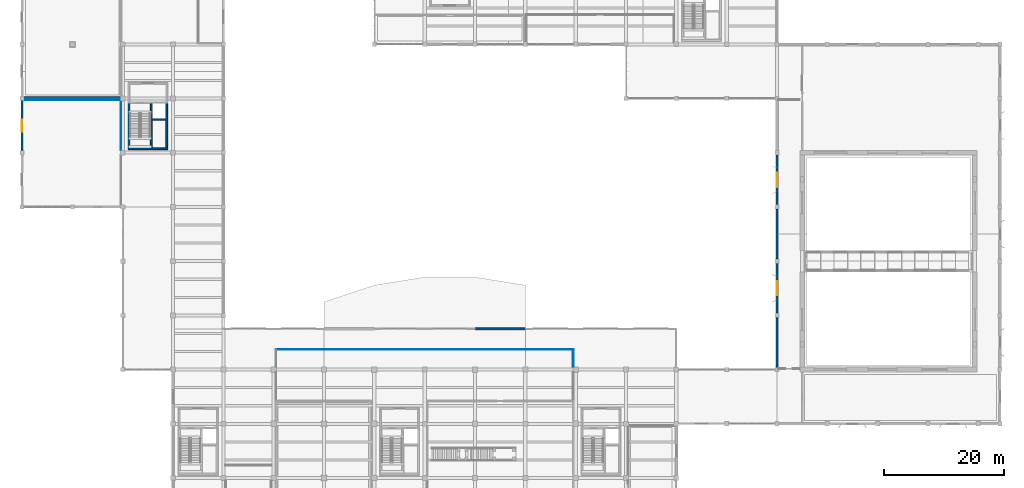
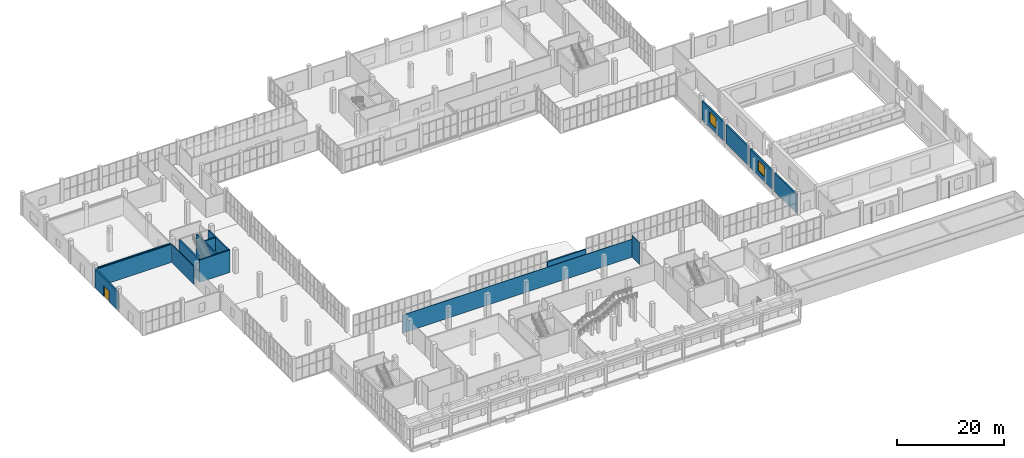
# One storey, part 79 of 91: 16 walls, 2 windows, 1 door, 3 openings.
"""IFC4 building model written with IfcOpenShell, lengths in metres."""

import ifcopenshell
import ifcopenshell.guid

model = None  # the IFC model being written
_history = None  # IfcOwnerHistory: only IFC2X3 demands one
_inside = {}  # id of a spatial element -> (the spatial element, [elements in it])
_under = {}  # id of a project, library or spatial element -> (it, [spatial elements below it])
_declared = {}  # id of a project -> (the project, [libraries it declares])
_typed = {}  # id of a type object -> (the type object, [elements of that type])
_made_of = {}  # id of a material, layer set ... -> (it, [elements and type objects made of it])


def new_model(schema):
    """Start an empty IFC model of exactly this schema.

    Asked for "IFC4X3", IfcOpenShell would pick the latest addendum, in which some entities
    have other attributes; the version numbers below select the first issue.
    IFC2X3 requires an IfcOwnerHistory on every rooted entity: one is made here for all.
    """
    global model, _history
    if schema == "IFC4X3":
        model = ifcopenshell.file(schema_version=(4, 3, 0, 0))
    else:
        model = ifcopenshell.file(schema=schema)
    _inside.clear()
    _under.clear()
    _declared.clear()
    _typed.clear()
    _made_of.clear()
    _history = None
    if model.schema == "IFC2X3":
        org = make("IfcOrganization", Name="unknown")
        user = make(
            "IfcPersonAndOrganization",
            ThePerson=make("IfcPerson", FamilyName="unknown"),
            TheOrganization=org,
        )
        app = make(
            "IfcApplication",
            ApplicationDeveloper=org,
            Version="unknown",
            ApplicationFullName="unknown",
            ApplicationIdentifier="unknown",
        )
        _history = make(
            "IfcOwnerHistory",
            OwningUser=user,
            OwningApplication=app,
            ChangeAction="ADDED",
            CreationDate=0,
        )
    return model


def make(cls, **values):
    """One entity of the class cls with the attributes given. An attribute that is None is left unset."""
    return model.create_entity(
        cls, **{name: value for name, value in values.items() if value is not None}
    )


def rooted(cls, **values):
    """An entity with a GlobalId (a new one), such as an element, a storey or a relation."""
    return make(cls, GlobalId=ifcopenshell.guid.new(), OwnerHistory=_history, **values)


def si_unit(unit_type, name, prefix=None):
    """IfcSIUnit, for example si_unit("LENGTHUNIT", "METRE", prefix="MILLI")."""
    return make("IfcSIUnit", UnitType=unit_type, Prefix=prefix, Name=name)


def assignment(units):
    """IfcUnitAssignment: the units of a project."""
    return None if units is None else make("IfcUnitAssignment", Units=units)


def point(xyz):
    """IfcCartesianPoint."""
    return None if xyz is None else make("IfcCartesianPoint", Coordinates=xyz)


def direction(xyz):
    """IfcDirection."""
    return None if xyz is None else make("IfcDirection", DirectionRatios=xyz)


def frame(location, z_axis=None, x_axis=None):
    """IfcAxis2Placement3D, a coordinate frame: its origin and axes. An axis left out is left unset."""
    return make(
        "IfcAxis2Placement3D",
        Location=point(location),
        Axis=direction(z_axis),
        RefDirection=direction(x_axis),
    )


def frame_2d(location, x_axis=None):
    """IfcAxis2Placement2D, a coordinate frame in the plane: its origin and x axis."""
    return make(
        "IfcAxis2Placement2D", Location=point(location), RefDirection=direction(x_axis)
    )


def origin():
    """The frame at (0, 0, 0) with its axes left unset."""
    return frame((0.0, 0.0, 0.0))


def place(relative_to, where):
    """IfcLocalPlacement: puts the frame where relative to a parent placement (None: the world)."""
    return make(
        "IfcLocalPlacement", PlacementRelTo=relative_to, RelativePlacement=where
    )


def context(
    kind, dimensions, precision=None, world=None, true_north=None, identifier=None
):
    """IfcGeometricRepresentationContext, for example the 3D "Model" context."""
    return make(
        "IfcGeometricRepresentationContext",
        ContextIdentifier=identifier,
        ContextType=kind,
        CoordinateSpaceDimension=dimensions,
        Precision=precision,
        WorldCoordinateSystem=world,
        TrueNorth=true_north,
    )


def subcontext(parent, identifier, kind, view, scale=None):
    """IfcGeometricRepresentationSubContext, for example "Body" below "Model"."""
    return make(
        "IfcGeometricRepresentationSubContext",
        ContextIdentifier=identifier,
        ContextType=kind,
        ParentContext=parent,
        TargetScale=scale,
        TargetView=view,
    )


def project(units=None, contexts=None):
    """IfcProject with its units and contexts."""
    return rooted(
        "IfcProject",
        Name="project",
        RepresentationContexts=contexts,
        UnitsInContext=assignment(units),
    )


def spatial(cls, under=None, at=None, **own):
    """A site, building, storey or space (cls), placed at a placement, below another one or the project."""
    s = rooted(cls, ObjectPlacement=at, **own)
    if under is not None:
        _under.setdefault(under.id(), (under, []))[1].append(s)
    return s


def profile(cls, at=None, kind="AREA", **sizes):
    """A parametric profile (cls). Its sizes go by their IFC names, for example OverallWidth=200.0."""
    return make(cls, ProfileType=kind, Position=at, **sizes)


def rectangle(**sizes):
    """IfcRectangleProfileDef."""
    return profile("IfcRectangleProfileDef", **sizes)


def extrude(swept, where, along, depth):
    """IfcExtrudedAreaSolid: the profile swept, set in the frame where, extruded along a direction by depth."""
    return make(
        "IfcExtrudedAreaSolid",
        SweptArea=swept,
        Position=where,
        ExtrudedDirection=direction(along),
        Depth=depth,
    )


def shape(context_of_items, identifier, shape_type, items):
    """IfcShapeRepresentation: the items that make up one representation, for example the "Body"."""
    return make(
        "IfcShapeRepresentation",
        ContextOfItems=context_of_items,
        RepresentationIdentifier=identifier,
        RepresentationType=shape_type,
        Items=items,
    )


def material(Name=None, Category=None):
    """IfcMaterial."""
    return make("IfcMaterial", Name=Name, Category=Category)


def layer(
    of_material, thickness, ventilated=None, Name=None, Category=None, Priority=None
):
    """IfcMaterialLayer: one layer of a wall or slab, of a material (None: an air gap)."""
    return make(
        "IfcMaterialLayer",
        Material=of_material,
        LayerThickness=thickness,
        IsVentilated=ventilated,
        Name=Name,
        Category=Category,
        Priority=Priority,
    )


def layer_set(layers, Name=None):
    """IfcMaterialLayerSet."""
    return make("IfcMaterialLayerSet", MaterialLayers=layers, LayerSetName=Name)


def made_of(thing, what):
    """Note that an element or type object is made of a material, layer set ...; save() writes the relation."""
    if what is not None:
        _made_of.setdefault(what.id(), (what, []))[1].append(thing)
    return thing


def type_object(cls, material=None, **own):
    """A type object (cls), such as IfcWallType, which elements share."""
    return made_of(rooted(cls, **own), material)


def element(
    cls,
    number,
    at=None,
    inside=None,
    cuts=None,
    type_object=None,
    material=None,
    context=None,
    identifier="Body",
    shape_type=None,
    held_by="IfcProductDefinitionShape",
    body=None,
    shapes=None,
    **own,
):
    """One element of the class cls, such as IfcWall. Its Tag is "e" and its number.

    at: its placement. inside: the storey or other place that contains it. cuts: it is an
    opening in that element (IfcRelVoidsElement). A single representation is given by context,
    identifier, shape_type and body (its items); several are given by shapes. held_by: the class
    of the entity that holds the representations. save() writes the other relations.
    """
    e = rooted(cls, Tag="e%d" % number, ObjectPlacement=at, **own)
    if body is not None:
        shapes = [shape(context, identifier, shape_type, body)]
    if shapes is not None:
        e.Representation = make(held_by, Representations=shapes)
    if inside is not None:
        _inside.setdefault(inside.id(), (inside, []))[1].append(e)
    if cuts is not None:
        rooted(
            "IfcRelVoidsElement", RelatingBuildingElement=cuts, RelatedOpeningElement=e
        )
    if type_object is not None:
        _typed.setdefault(type_object.id(), (type_object, []))[1].append(e)
    return made_of(e, material)


def fill(opening, filler):
    """IfcRelFillsElement: the door or window that sits in an opening."""
    return rooted(
        "IfcRelFillsElement",
        RelatingOpeningElement=opening,
        RelatedBuildingElement=filler,
    )


def aggregate(whole, parts):
    """IfcRelAggregates: a whole, such as a stair, and the parts it consists of."""
    return rooted("IfcRelAggregates", RelatingObject=whole, RelatedObjects=parts)


def save(model, path):
    """Write the relations noted so far, then the file.

    IfcRelAggregates (storeys below a building ...), IfcRelContainedInSpatialStructure (elements
    in a storey), IfcRelDefinesByType, IfcRelAssociatesMaterial and IfcRelDeclares: one each for
    every whole, place, type object, material and project.
    """
    for whole, parts in _under.values():
        aggregate(whole, parts)
    for where, things in _inside.values():
        rooted(
            "IfcRelContainedInSpatialStructure",
            RelatedElements=things,
            RelatingStructure=where,
        )
    for kind, things in _typed.values():
        rooted("IfcRelDefinesByType", RelatedObjects=things, RelatingType=kind)
    for what, things in _made_of.values():
        rooted("IfcRelAssociatesMaterial", RelatedObjects=things, RelatingMaterial=what)
    for by, libraries in _declared.values():
        rooted("IfcRelDeclares", RelatingContext=by, RelatedDefinitions=libraries)
    model.write(path)


model = new_model("IFC4")

# Units and contexts
model_context = context("Model", 3, precision=1e-05, world=origin(), true_north=direction((0.0, 1.0)))
body_context = subcontext(model_context, "Body", "Model", "MODEL_VIEW")
ifc_project = project(units=[si_unit("LENGTHUNIT", "METRE"), si_unit("AREAUNIT", "SQUARE_METRE"), si_unit("VOLUMEUNIT", "CUBIC_METRE"), si_unit("PLANEANGLEUNIT", "RADIAN"), si_unit("MASSUNIT", "GRAM", prefix="KILO")], contexts=[model_context])

# Site, building, storey
site_placement = place(None, origin())
site = spatial("IfcSite", under=ifc_project, at=site_placement, CompositionType="ELEMENT")
building_placement = place(site_placement, origin())
building = spatial("IfcBuilding", under=site, at=building_placement, Name="Khurvash Pelagic Aquarium", CompositionType="ELEMENT")
storey_placement = place(building_placement, origin())
storey = spatial("IfcBuildingStorey", under=building, at=storey_placement, Name="L00", CompositionType="ELEMENT", Elevation=0.0)

# Wall, opening, door
ifc_material_1 = material(Name="Precast concrete C40/50", Category="concrete")
ifc_layer_1 = layer(ifc_material_1, 0.300048828125)
ifc_layer_set_1 = layer_set([ifc_layer_1], Name="Precast concrete C40/50")
wall_type_1 = type_object("IfcWallType", Name="EW-300", PredefinedType="STANDARD", material=ifc_layer_set_1)
wall_1_placement = place(storey_placement, frame((0.0, 74.64501953125, 0.0), z_axis=(0.0, 0.0, 1.0), x_axis=(0.0, -1.0, 0.0)))
wall_1 = element("IfcWall", 1, at=wall_1_placement, inside=storey, type_object=wall_type_1, Name="L00 Exterior Architectural Facade Wall EW-300 0028", PredefinedType="STANDARD", context=body_context, shape_type="SweptSolid", body=[
    extrude(rectangle(XDim=8.340087890625, YDim=0.300048828125, at=frame_2d((4.169921875, 0.0))), origin(), (0.0, 0.0, 1.0), 4.239990234375),
])
opening_1_placement = place(wall_1_placement, frame((3.169921875, 0.0, 0.0)))
opening_1 = element("IfcOpeningElement", 2, at=opening_1_placement, cuts=wall_1, Name="Opening ED-02", PredefinedType="OPENING", context=body_context, shape_type="SweptSolid", body=[
    extrude(rectangle(XDim=2.0, YDim=2.39990234375, at=frame_2d((1.0, 1.199951171875))), frame((0.0, 0.16015625, 0.0), z_axis=(0.0, -1.0, 0.0), x_axis=(1.0, 0.0, 0.0)), (0.0, 0.0, 1.0), 0.320068359375),
])
ifc_material_2 = material(Name="Thermally broken glazed aluminium", Category="aluminium")
door_type = type_object("IfcDoorType", Name="ED-02", OperationType="DOUBLE_DOOR_SINGLE_SWING", PredefinedType="DOOR", material=ifc_material_2)
door_placement = place(opening_1_placement, frame((2.0, 0.0, 0.0), z_axis=(0.0, 0.0, 1.0), x_axis=(-1.0, 0.0, 0.0)))
door = element("IfcDoor", 3, at=door_placement, inside=storey, type_object=door_type, Name="DR-0058", OperationType="DOUBLE_DOOR_SINGLE_SWING", OverallHeight=2.39990234375, OverallWidth=2.0, PredefinedType="DOOR", context=body_context, shape_type="SweptSolid", body=[
    extrude(rectangle(XDim=2.0, YDim=2.39990234375, at=frame_2d((1.0, 1.199951171875))), frame((0.0, 0.02490234375, 0.0), z_axis=(0.0, -1.0, 0.0), x_axis=(1.0, 0.0, 0.0)), (0.0, 0.0, 1.0), 0.050048828125),
])
fill(opening_1, door)

# Walls
wall_2_placement = place(storey_placement, frame((84.0, 36.550048828125, 0.0), z_axis=(0.0, 0.0, 1.0), x_axis=(-1.0, 0.0, 0.0)))
element("IfcWall", 4, at=wall_2_placement, inside=storey, type_object=wall_type_1, Name="L00 Exterior Architectural Facade Wall EW-300 0036", PredefinedType="STANDARD", context=body_context, shape_type="SweptSolid", body=[
    extrude(rectangle(XDim=8.39990234375, YDim=0.300048828125, at=frame_2d((4.199951171875, 0.0))), origin(), (0.0, 0.0, 1.0), 2.616943359375),
])
ifc_layer_2 = layer(ifc_material_1, 0.320068359375)
ifc_layer_set_2 = layer_set([ifc_layer_2], Name="Precast concrete C40/50")
wall_type_2 = type_object("IfcWallType", Name="EW-320", PredefinedType="STANDARD", material=ifc_layer_set_2)
wall_3_placement = place(storey_placement, frame((126.0, 38.389892578125, 0.0), z_axis=(0.0, 0.0, 1.0), x_axis=(0.0, -1.0, 0.0)))
element("IfcWall", 5, at=wall_3_placement, inside=storey, type_object=wall_type_2, Name="L00 Ocean Tank Hall West Courtyard Wall EW-320 B2", PredefinedType="STANDARD", context=body_context, shape_type="SweptSolid", body=[
    extrude(rectangle(XDim=8.22998046875, YDim=0.320068359375, at=frame_2d((4.114990234375, 0.0))), origin(), (0.0, 0.0, 1.0), 4.239990234375),
])

# Wall, opening, window
wall_4_placement = place(storey_placement, frame((126.0, 47.43994140625, 0.0), z_axis=(0.0, 0.0, 1.0), x_axis=(0.0, -1.0, 0.0)))
wall_4 = element("IfcWall", 6, at=wall_4_placement, inside=storey, type_object=wall_type_2, Name="L00 Ocean Tank Hall West Courtyard Wall EW-320 B3", PredefinedType="STANDARD", context=body_context, shape_type="SweptSolid", body=[
    extrude(rectangle(XDim=8.22998046875, YDim=0.320068359375, at=frame_2d((4.114990234375, 0.0))), origin(), (0.0, 0.0, 1.0), 4.239990234375),
])
opening_2_placement = place(wall_4_placement, frame((2.9150390625, 0.0, 1.050048828125)))
opening_2 = element("IfcOpeningElement", 7, at=opening_2_placement, cuts=wall_4, Name="Opening WN-02", PredefinedType="OPENING", context=body_context, shape_type="SweptSolid", body=[
    extrude(rectangle(XDim=2.39990234375, YDim=2.39990234375, at=frame_2d((1.199951171875, 1.199951171875))), frame((0.0, 0.169921875, 0.0), z_axis=(0.0, -1.0, 0.0), x_axis=(1.0, 0.0, 0.0)), (0.0, 0.0, 1.0), 0.340087890625),
])
ifc_material_3 = material(Name="Thermally broken aluminium and low-E glass", Category="aluminium")
window_type = type_object("IfcWindowType", Name="WN-02", PartitioningType="SINGLE_PANEL", PredefinedType="WINDOW", material=ifc_material_3)
window_1_placement = place(opening_2_placement, origin())
window_1 = element("IfcWindow", 8, at=window_1_placement, inside=storey, type_object=window_type, Name="L00 Ocean Hall Courtyard Portal Window WN-02", OverallHeight=2.39990234375, OverallWidth=2.39990234375, PartitioningType="SINGLE_PANEL", PredefinedType="WINDOW", context=body_context, shape_type="SweptSolid", body=[
    extrude(rectangle(XDim=2.39990234375, YDim=2.39990234375, at=frame_2d((1.199951171875, 1.199951171875))), frame((0.0, 0.030029296875, 0.0), z_axis=(0.0, -1.0, 0.0), x_axis=(1.0, 0.0, 0.0)), (0.0, 0.0, 1.0), 0.06005859375),
])
fill(opening_2, window_1)

# Wall
wall_5_placement = place(storey_placement, frame((126.0, 56.489990234375, 0.0), z_axis=(0.0, 0.0, 1.0), x_axis=(0.0, -1.0, 0.0)))
element("IfcWall", 9, at=wall_5_placement, inside=storey, type_object=wall_type_2, Name="L00 Ocean Tank Hall West Courtyard Wall EW-320 B4", PredefinedType="STANDARD", context=body_context, shape_type="SweptSolid", body=[
    extrude(rectangle(XDim=8.22998046875, YDim=0.320068359375, at=frame_2d((4.114990234375, 0.0))), origin(), (0.0, 0.0, 1.0), 4.239990234375),
])

# Wall, opening, window
wall_6_placement = place(storey_placement, frame((126.0, 65.5400390625, 0.0), z_axis=(0.0, 0.0, 1.0), x_axis=(0.0, -1.0, 0.0)))
wall_6 = element("IfcWall", 10, at=wall_6_placement, inside=storey, type_object=wall_type_2, Name="L00 Ocean Tank Hall West Courtyard Wall EW-320 B5", PredefinedType="STANDARD", context=body_context, shape_type="SweptSolid", body=[
    extrude(rectangle(XDim=8.22998046875, YDim=0.320068359375, at=frame_2d((4.114990234375, 0.0))), origin(), (0.0, 0.0, 1.0), 4.239990234375),
])
opening_3_placement = place(wall_6_placement, frame((2.9150390625, 0.0, 1.050048828125)))
opening_3 = element("IfcOpeningElement", 11, at=opening_3_placement, cuts=wall_6, Name="Opening WN-02", PredefinedType="OPENING", context=body_context, shape_type="SweptSolid", body=[
    extrude(rectangle(XDim=2.39990234375, YDim=2.39990234375, at=frame_2d((1.199951171875, 1.199951171875))), frame((0.0, 0.169921875, 0.0), z_axis=(0.0, -1.0, 0.0), x_axis=(1.0, 0.0, 0.0)), (0.0, 0.0, 1.0), 0.340087890625),
])
window_2_placement = place(opening_3_placement, origin())
window_2 = element("IfcWindow", 12, at=window_2_placement, inside=storey, type_object=window_type, Name="L00 Ocean Hall Courtyard Portal Window WN-02", OverallHeight=2.39990234375, OverallWidth=2.39990234375, PartitioningType="SINGLE_PANEL", PredefinedType="WINDOW", context=body_context, shape_type="SweptSolid", body=[
    extrude(rectangle(XDim=2.39990234375, YDim=2.39990234375, at=frame_2d((1.199951171875, 1.199951171875))), frame((0.0, 0.030029296875, 0.0), z_axis=(0.0, -1.0, 0.0), x_axis=(1.0, 0.0, 0.0)), (0.0, 0.0, 1.0), 0.06005859375),
])
fill(opening_3, window_2)

# Walls
ifc_material_4 = material(Name="Ceramic-tiled wet-room partition", Category="masonry")
ifc_layer_3 = layer(ifc_material_4, 0.110107421875)
ifc_layer_set_3 = layer_set([ifc_layer_3], Name="Ceramic-tiled wet-room partition")
wall_type_3 = type_object("IfcWallType", Name="PW-110", PredefinedType="PARTITIONING", material=ifc_layer_set_3)
wall_7_placement = place(storey_placement, frame((42.344970703125, 33.10009765625, 0.0), z_axis=(0.0, 0.0, 1.0), x_axis=(1.0, 0.0, 0.0)))
element("IfcWall", 13, at=wall_7_placement, inside=storey, type_object=wall_type_3, Name="L00 Sehan Courtyard Public Cafeteria Partition Wall PW-110", PredefinedType="PARTITIONING", context=body_context, shape_type="SweptSolid", body=[
    extrude(rectangle(XDim=49.7099609375, YDim=0.110107421875, at=frame_2d((24.85498046875, 0.0))), origin(), (0.0, 0.0, 1.0), 4.1298828125),
])
wall_8_placement = place(storey_placement, frame((92.0, 30.18994140625, 0.0), z_axis=(0.0, 0.0, 1.0), x_axis=(0.0, 1.0, 0.0)))
element("IfcWall", 14, at=wall_8_placement, inside=storey, type_object=wall_type_3, Name="L00 Sehan Courtyard Public Cafeteria Partition Wall PW-110", PredefinedType="PARTITIONING", context=body_context, shape_type="SweptSolid", body=[
    extrude(rectangle(XDim=2.85498046875, YDim=0.110107421875, at=frame_2d((1.427490234375, 0.0))), origin(), (0.0, 0.0, 1.0), 5.090087890625),
])
ifc_material_5 = material(Name="Moisture-resistant gypsum and steel stud", Category="steel")
ifc_layer_4 = layer(ifc_material_5, 0.139892578125)
ifc_layer_set_4 = layer_set([ifc_layer_4], Name="Moisture-resistant gypsum and steel stud")
wall_type_4 = type_object("IfcWallType", Name="PW-140", PredefinedType="PARTITIONING", material=ifc_layer_set_4)
wall_9_placement = place(storey_placement, frame((16.5, 66.389892578125, 0.0), z_axis=(0.0, 0.0, 1.0), x_axis=(0.0, 1.0, 0.0)))
element("IfcWall", 15, at=wall_9_placement, inside=storey, type_object=wall_type_4, Name="L00 School Group Orientation Foyer Partition Wall PW-140", PredefinedType="PARTITIONING", context=body_context, shape_type="SweptSolid", body=[
    extrude(rectangle(XDim=8.340087890625, YDim=0.139892578125, at=frame_2d((4.169921875, 0.0))), origin(), (0.0, 0.0, 1.0), 4.139892578125),
])
wall_10_placement = place(storey_placement, frame((0.179931640625, 74.800048828125, 0.0), z_axis=(0.0, 0.0, 1.0), x_axis=(1.0, 0.0, 0.0)))
element("IfcWall", 16, at=wall_10_placement, inside=storey, type_object=wall_type_4, Name="L00 School Group Orientation Foyer Partition Wall PW-140", PredefinedType="PARTITIONING", context=body_context, shape_type="SweptSolid", body=[
    extrude(rectangle(XDim=16.39013671875, YDim=0.139892578125, at=frame_2d((8.195068359375, 0.0))), origin(), (0.0, 0.0, 1.0), 4.139892578125),
])
ifc_material_6 = material(Name="AAC blockwork", Category="masonry")
ifc_layer_5 = layer(ifc_material_6, 0.215087890625)
ifc_layer_set_5 = layer_set([ifc_layer_5], Name="AAC blockwork")
wall_type_5 = type_object("IfcWallType", Name="PW-215", PredefinedType="PARTITIONING", material=ifc_layer_set_5)
wall_11_placement = place(storey_placement, frame((0.14306640625, 75.199951171875, 0.0), z_axis=(0.0, 0.0, 1.0), x_axis=(1.0, 0.0, 0.0)))
element("IfcWall", 17, at=wall_11_placement, inside=storey, type_object=wall_type_5, Name="L00 STEM Marine Discovery Classroom 1 Partition Wall PW-215", PredefinedType="PARTITIONING", context=body_context, shape_type="SweptSolid", body=[
    extrude(rectangle(XDim=16.46484375, YDim=0.215087890625, at=frame_2d((8.232421875, 0.0))), origin(), (0.0, 0.0, 1.0), 4.139892578125),
])
ifc_material_7 = material(Name="Concrete C40/50", Category="concrete")
ifc_layer_6 = layer(ifc_material_7, 0.27490234375)
ifc_layer_set_6 = layer_set([ifc_layer_6], Name="Concrete C40/50")
wall_type_6 = type_object("IfcWallType", Name="SW-275", PredefinedType="SHEAR", material=ifc_layer_set_6)
wall_12_placement = place(storey_placement, frame((21.699951171875, 71.512939453125, 0.0), z_axis=(0.0, 0.0, 1.0), x_axis=(1.0, 0.0, 0.0)))
element("IfcWall", 18, at=wall_12_placement, inside=storey, type_object=wall_type_6, Name="L00 Lift PL-02 Shaft Rear Shear Wall SW-275", PredefinedType="SHEAR", context=body_context, shape_type="SweptSolid", body=[
    extrude(rectangle(XDim=2.300048828125, YDim=0.27490234375, at=frame_2d((1.14990234375, 0.0))), origin(), (0.0, 0.0, 1.0), 5.090087890625),
])
ifc_layer_7 = layer(ifc_material_7, 0.300048828125)
ifc_layer_set_7 = layer_set([ifc_layer_7], Name="Concrete C40/50")
wall_type_7 = type_object("IfcWallType", Name="SW-300", PredefinedType="SHEAR", material=ifc_layer_set_7)
wall_13_placement = place(storey_placement, frame((17.699951171875, 66.60009765625, 0.0), z_axis=(0.0, 0.0, 1.0), x_axis=(1.0, 0.0, 0.0)))
element("IfcWall", 19, at=wall_13_placement, inside=storey, type_object=wall_type_7, Name="L00 Core C5 South Shear Wall SW-300", PredefinedType="SHEAR", context=body_context, shape_type="SweptSolid", body=[
    extrude(rectangle(XDim=6.60009765625, YDim=0.300048828125, at=frame_2d((3.300048828125, 0.0))), origin(), (0.0, 0.0, 1.0), 5.090087890625),
])
for number, where, z_axis, x_axis, name in (
    (20, (17.85009765625, 66.75, 0.0), (0.0, 0.0, 1.0), (0.0, 1.0, 0.0), "L00 Core C5 West Shear Wall SW-300"),
    (21, (24.14990234375, 66.75, 0.0), (0.0, 0.0, 1.0), (0.0, 1.0, 0.0), "L00 Core C5 East Shear Wall SW-300"),
    (22, (21.550048828125, 66.75, 0.0), (0.0, 0.0, 1.0), (0.0, 1.0, 0.0), "L00 Core C5 Divider Shear Wall SW-300"),
):
    element("IfcWall", number, at=place(storey_placement, frame(where, z_axis=z_axis, x_axis=x_axis)), inside=storey, type_object=wall_type_7, Name=name, PredefinedType="SHEAR", context=body_context, shape_type="SweptSolid", body=[
        extrude(rectangle(XDim=7.39990234375, YDim=0.300048828125, at=frame_2d((3.699951171875, 0.0))), origin(), (0.0, 0.0, 1.0), 5.090087890625),
    ])

save(model, "model.ifc")
